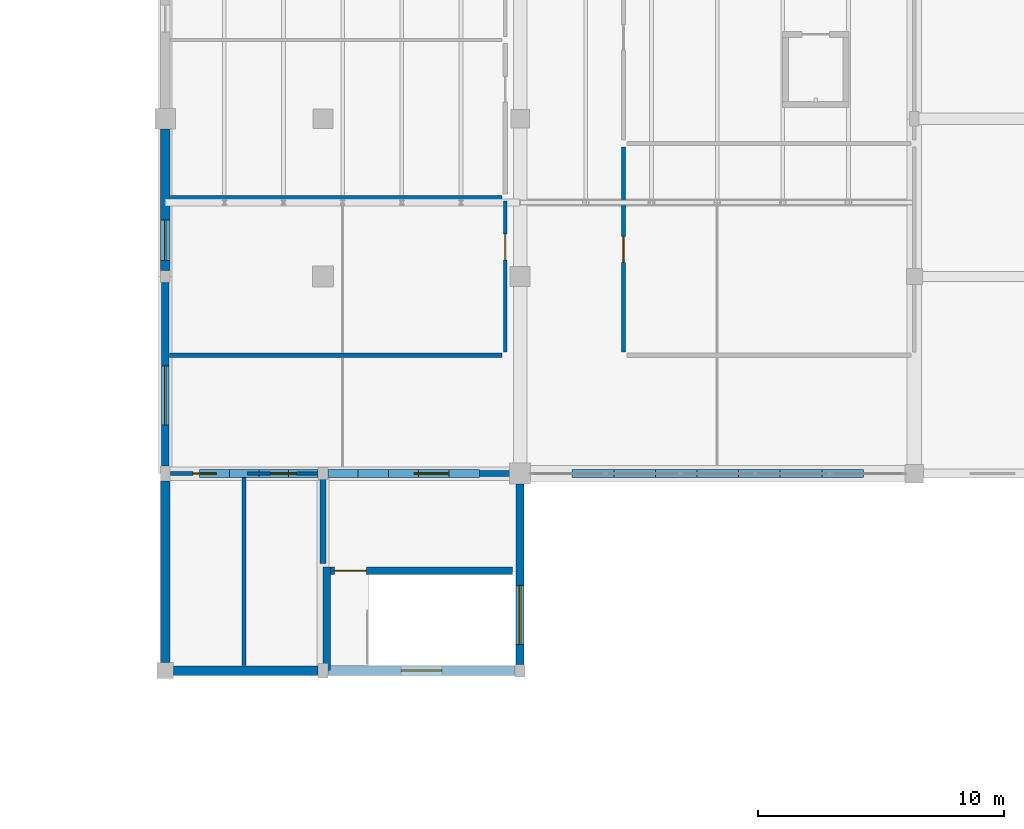
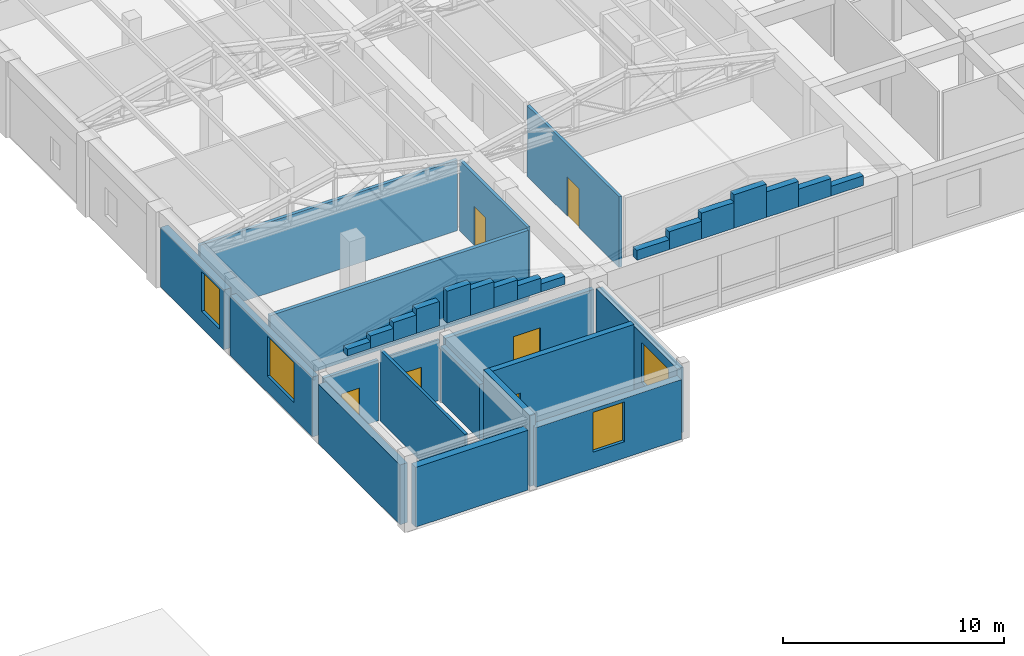
# One storey, part 26 of 35: 33 walls, 6 doors, 4 windows, 10 openings.
"""IFC4 building model written with IfcOpenShell, lengths in metres."""

import ifcopenshell
import ifcopenshell.guid

model = None  # the IFC model being written
_history = None  # IfcOwnerHistory: only IFC2X3 demands one
_inside = {}  # id of a spatial element -> (the spatial element, [elements in it])
_under = {}  # id of a project, library or spatial element -> (it, [spatial elements below it])
_declared = {}  # id of a project -> (the project, [libraries it declares])
_typed = {}  # id of a type object -> (the type object, [elements of that type])
_made_of = {}  # id of a material, layer set ... -> (it, [elements and type objects made of it])


def new_model(schema):
    """Start an empty IFC model of exactly this schema.

    Asked for "IFC4X3", IfcOpenShell would pick the latest addendum, in which some entities
    have other attributes; the version numbers below select the first issue.
    IFC2X3 requires an IfcOwnerHistory on every rooted entity: one is made here for all.
    """
    global model, _history
    if schema == "IFC4X3":
        model = ifcopenshell.file(schema_version=(4, 3, 0, 0))
    else:
        model = ifcopenshell.file(schema=schema)
    _inside.clear()
    _under.clear()
    _declared.clear()
    _typed.clear()
    _made_of.clear()
    _history = None
    if model.schema == "IFC2X3":
        org = make("IfcOrganization", Name="unknown")
        user = make(
            "IfcPersonAndOrganization",
            ThePerson=make("IfcPerson", FamilyName="unknown"),
            TheOrganization=org,
        )
        app = make(
            "IfcApplication",
            ApplicationDeveloper=org,
            Version="unknown",
            ApplicationFullName="unknown",
            ApplicationIdentifier="unknown",
        )
        _history = make(
            "IfcOwnerHistory",
            OwningUser=user,
            OwningApplication=app,
            ChangeAction="ADDED",
            CreationDate=0,
        )
    return model


def make(cls, **values):
    """One entity of the class cls with the attributes given. An attribute that is None is left unset."""
    return model.create_entity(
        cls, **{name: value for name, value in values.items() if value is not None}
    )


def rooted(cls, **values):
    """An entity with a GlobalId (a new one), such as an element, a storey or a relation."""
    return make(cls, GlobalId=ifcopenshell.guid.new(), OwnerHistory=_history, **values)


def si_unit(unit_type, name, prefix=None):
    """IfcSIUnit, for example si_unit("LENGTHUNIT", "METRE", prefix="MILLI")."""
    return make("IfcSIUnit", UnitType=unit_type, Prefix=prefix, Name=name)


def assignment(units):
    """IfcUnitAssignment: the units of a project."""
    return None if units is None else make("IfcUnitAssignment", Units=units)


def point(xyz):
    """IfcCartesianPoint."""
    return None if xyz is None else make("IfcCartesianPoint", Coordinates=xyz)


def direction(xyz):
    """IfcDirection."""
    return None if xyz is None else make("IfcDirection", DirectionRatios=xyz)


def frame(location, z_axis=None, x_axis=None):
    """IfcAxis2Placement3D, a coordinate frame: its origin and axes. An axis left out is left unset."""
    return make(
        "IfcAxis2Placement3D",
        Location=point(location),
        Axis=direction(z_axis),
        RefDirection=direction(x_axis),
    )


def frame_2d(location, x_axis=None):
    """IfcAxis2Placement2D, a coordinate frame in the plane: its origin and x axis."""
    return make(
        "IfcAxis2Placement2D", Location=point(location), RefDirection=direction(x_axis)
    )


def origin():
    """The frame at (0, 0, 0) with its axes left unset."""
    return frame((0.0, 0.0, 0.0))


def place(relative_to, where):
    """IfcLocalPlacement: puts the frame where relative to a parent placement (None: the world)."""
    return make(
        "IfcLocalPlacement", PlacementRelTo=relative_to, RelativePlacement=where
    )


def context(
    kind, dimensions, precision=None, world=None, true_north=None, identifier=None
):
    """IfcGeometricRepresentationContext, for example the 3D "Model" context."""
    return make(
        "IfcGeometricRepresentationContext",
        ContextIdentifier=identifier,
        ContextType=kind,
        CoordinateSpaceDimension=dimensions,
        Precision=precision,
        WorldCoordinateSystem=world,
        TrueNorth=true_north,
    )


def subcontext(parent, identifier, kind, view, scale=None):
    """IfcGeometricRepresentationSubContext, for example "Body" below "Model"."""
    return make(
        "IfcGeometricRepresentationSubContext",
        ContextIdentifier=identifier,
        ContextType=kind,
        ParentContext=parent,
        TargetScale=scale,
        TargetView=view,
    )


def project(units=None, contexts=None):
    """IfcProject with its units and contexts."""
    return rooted(
        "IfcProject",
        Name="project",
        RepresentationContexts=contexts,
        UnitsInContext=assignment(units),
    )


def spatial(cls, under=None, at=None, **own):
    """A site, building, storey or space (cls), placed at a placement, below another one or the project."""
    s = rooted(cls, ObjectPlacement=at, **own)
    if under is not None:
        _under.setdefault(under.id(), (under, []))[1].append(s)
    return s


def profile(cls, at=None, kind="AREA", **sizes):
    """A parametric profile (cls). Its sizes go by their IFC names, for example OverallWidth=200.0."""
    return make(cls, ProfileType=kind, Position=at, **sizes)


def rectangle(**sizes):
    """IfcRectangleProfileDef."""
    return profile("IfcRectangleProfileDef", **sizes)


def extrude(swept, where, along, depth):
    """IfcExtrudedAreaSolid: the profile swept, set in the frame where, extruded along a direction by depth."""
    return make(
        "IfcExtrudedAreaSolid",
        SweptArea=swept,
        Position=where,
        ExtrudedDirection=direction(along),
        Depth=depth,
    )


def shape(context_of_items, identifier, shape_type, items):
    """IfcShapeRepresentation: the items that make up one representation, for example the "Body"."""
    return make(
        "IfcShapeRepresentation",
        ContextOfItems=context_of_items,
        RepresentationIdentifier=identifier,
        RepresentationType=shape_type,
        Items=items,
    )


def material(Name=None, Category=None):
    """IfcMaterial."""
    return make("IfcMaterial", Name=Name, Category=Category)


def layer(
    of_material, thickness, ventilated=None, Name=None, Category=None, Priority=None
):
    """IfcMaterialLayer: one layer of a wall or slab, of a material (None: an air gap)."""
    return make(
        "IfcMaterialLayer",
        Material=of_material,
        LayerThickness=thickness,
        IsVentilated=ventilated,
        Name=Name,
        Category=Category,
        Priority=Priority,
    )


def layer_set(layers, Name=None):
    """IfcMaterialLayerSet."""
    return make("IfcMaterialLayerSet", MaterialLayers=layers, LayerSetName=Name)


def made_of(thing, what):
    """Note that an element or type object is made of a material, layer set ...; save() writes the relation."""
    if what is not None:
        _made_of.setdefault(what.id(), (what, []))[1].append(thing)
    return thing


def type_object(cls, material=None, **own):
    """A type object (cls), such as IfcWallType, which elements share."""
    return made_of(rooted(cls, **own), material)


def element(
    cls,
    number,
    at=None,
    inside=None,
    cuts=None,
    type_object=None,
    material=None,
    context=None,
    identifier="Body",
    shape_type=None,
    held_by="IfcProductDefinitionShape",
    body=None,
    shapes=None,
    **own,
):
    """One element of the class cls, such as IfcWall. Its Tag is "e" and its number.

    at: its placement. inside: the storey or other place that contains it. cuts: it is an
    opening in that element (IfcRelVoidsElement). A single representation is given by context,
    identifier, shape_type and body (its items); several are given by shapes. held_by: the class
    of the entity that holds the representations. save() writes the other relations.
    """
    e = rooted(cls, Tag="e%d" % number, ObjectPlacement=at, **own)
    if body is not None:
        shapes = [shape(context, identifier, shape_type, body)]
    if shapes is not None:
        e.Representation = make(held_by, Representations=shapes)
    if inside is not None:
        _inside.setdefault(inside.id(), (inside, []))[1].append(e)
    if cuts is not None:
        rooted(
            "IfcRelVoidsElement", RelatingBuildingElement=cuts, RelatedOpeningElement=e
        )
    if type_object is not None:
        _typed.setdefault(type_object.id(), (type_object, []))[1].append(e)
    return made_of(e, material)


def fill(opening, filler):
    """IfcRelFillsElement: the door or window that sits in an opening."""
    return rooted(
        "IfcRelFillsElement",
        RelatingOpeningElement=opening,
        RelatedBuildingElement=filler,
    )


def aggregate(whole, parts):
    """IfcRelAggregates: a whole, such as a stair, and the parts it consists of."""
    return rooted("IfcRelAggregates", RelatingObject=whole, RelatedObjects=parts)


def save(model, path):
    """Write the relations noted so far, then the file.

    IfcRelAggregates (storeys below a building ...), IfcRelContainedInSpatialStructure (elements
    in a storey), IfcRelDefinesByType, IfcRelAssociatesMaterial and IfcRelDeclares: one each for
    every whole, place, type object, material and project.
    """
    for whole, parts in _under.values():
        aggregate(whole, parts)
    for where, things in _inside.values():
        rooted(
            "IfcRelContainedInSpatialStructure",
            RelatedElements=things,
            RelatingStructure=where,
        )
    for kind, things in _typed.values():
        rooted("IfcRelDefinesByType", RelatedObjects=things, RelatingType=kind)
    for what, things in _made_of.values():
        rooted("IfcRelAssociatesMaterial", RelatedObjects=things, RelatingMaterial=what)
    for by, libraries in _declared.values():
        rooted("IfcRelDeclares", RelatingContext=by, RelatedDefinitions=libraries)
    model.write(path)


model = new_model("IFC4")

# Units and contexts
model_context = context("Model", 3, precision=1e-05, world=origin(), true_north=direction((0.0, 1.0)))
body_context = subcontext(model_context, "Body", "Model", "MODEL_VIEW")
ifc_project = project(units=[si_unit("LENGTHUNIT", "METRE"), si_unit("AREAUNIT", "SQUARE_METRE"), si_unit("VOLUMEUNIT", "CUBIC_METRE"), si_unit("PLANEANGLEUNIT", "RADIAN"), si_unit("MASSUNIT", "GRAM", prefix="KILO")], contexts=[model_context])

# Site, building, storey
site_placement = place(None, origin())
site = spatial("IfcSite", under=ifc_project, at=site_placement, CompositionType="ELEMENT")
building_placement = place(site_placement, origin())
building = spatial("IfcBuilding", under=site, at=building_placement, Name="Vellmiral Cinema and Media Centre", CompositionType="ELEMENT")
storey_placement = place(building_placement, frame((0.0, 0.0, 15.60009765625)))
storey = spatial("IfcBuildingStorey", under=building, at=storey_placement, Name="L03", CompositionType="ELEMENT", Elevation=15.60009765625)

# Wall
ifc_material_1 = material(Name="Concrete C40/50", Category="concrete")
ifc_layer_1 = layer(ifc_material_1, 0.300048828125, Name="Concrete C40/50")
ifc_layer_set_1 = layer_set([ifc_layer_1], Name="Concrete C40/50")
wall_type_1 = type_object("IfcWallType", Name="WL-CORE-300", PredefinedType="SHEAR", material=ifc_layer_set_1)
wall_1_placement = place(storey_placement, frame((54.550048828125, 43.199951171875, 0.0), z_axis=(0.0, 0.0, 1.0), x_axis=(0.0, 1.0, 0.0)))
element("IfcWall", 1, at=wall_1_placement, inside=storey, type_object=wall_type_1, Name="Stair Core Wall ST-P3 L03-W", PredefinedType="SHEAR", context=body_context, shape_type="SweptSolid", body=[
    extrude(rectangle(XDim=4.199951171875, YDim=0.300048828125, at=frame_2d((2.10009765625, 0.0))), origin(), (0.0, 0.0, 1.0), 3.89990234375),
])

# Wall, opening, door
wall_2_placement = place(storey_placement, frame((54.699951171875, 47.25, 0.0), z_axis=(0.0, 0.0, 1.0), x_axis=(1.0, 0.0, 0.0)))
wall_2 = element("IfcWall", 2, at=wall_2_placement, inside=storey, type_object=wall_type_1, Name="Stair Core Wall ST-P3 L03-N", PredefinedType="SHEAR", context=body_context, shape_type="SweptSolid", body=[
    extrude(rectangle(XDim=7.400146484375, YDim=0.300048828125, at=frame_2d((3.7001953125, 0.0))), origin(), (0.0, 0.0, 1.0), 3.89990234375),
])
opening_1_placement = place(wall_2_placement, frame((0.159912109375, 0.0, 0.0)))
opening_1 = element("IfcOpeningElement", 3, at=opening_1_placement, cuts=wall_2, Name="Opening D-FD30A", PredefinedType="OPENING", context=body_context, shape_type="SweptSolid", body=[
    extrude(rectangle(XDim=1.300048828125, YDim=2.179931640625, at=frame_2d((0.64990234375, 1.08984375))), frame((0.0, 0.162109375, 0.0), z_axis=(0.0, -1.0, 0.0), x_axis=(1.0, 0.0, 0.0)), (0.0, 0.0, 1.0), 0.323974609375),
])
ifc_material_2 = material(Name="Steel Stair Fire Door", Category="steel")
door_type_1 = type_object("IfcDoorType", Name="DR-FD30-1300x2180", OperationType="NOTDEFINED", PredefinedType="DOOR", material=ifc_material_2)
door_1_placement = place(opening_1_placement, frame((1.300048828125, 0.0, 0.0), z_axis=(0.0, 0.0, 1.0), x_axis=(-1.0, 0.0, 0.0)))
door_1 = element("IfcDoor", 4, at=door_1_placement, inside=storey, type_object=door_type_1, Name="Protected Stair Door ST-P3 L03", OperationType="SINGLE_SWING_RIGHT", OverallHeight=2.179931640625, OverallWidth=1.300048828125, PredefinedType="DOOR", context=body_context, shape_type="SweptSolid", body=[
    extrude(rectangle(XDim=1.300048828125, YDim=2.179931640625, at=frame_2d((0.64990234375, 1.08984375))), frame((0.0, 0.02490234375, 0.0), z_axis=(0.0, -1.0, 0.0), x_axis=(1.0, 0.0, 0.0)), (0.0, 0.0, 1.0), 0.050048828125),
])
fill(opening_1, door_1)

# Wall, opening, window
ifc_material_3 = material(Name="Polychrome Glazed Ceramic Cladding", Category="masonry")
ifc_layer_2 = layer(ifc_material_3, 0.320068359375, Name="Polychrome Glazed Ceramic Cladding")
ifc_layer_set_2 = layer_set([ifc_layer_2], Name="Polychrome Glazed Ceramic Cladding")
wall_type_2 = type_object("IfcWallType", Name="WL-EXT-BRICK-320", PredefinedType="SOLIDWALL", material=ifc_layer_set_2)
wall_3_placement = place(storey_placement, frame((62.39990234375, 43.449951171875, 0.0), z_axis=(0.0, 0.0, 1.0), x_axis=(0.0, 1.0, 0.0)))
wall_3 = element("IfcWall", 5, at=wall_3_placement, inside=storey, type_object=wall_type_2, Name="Exterior Facade Wall L03-003", PredefinedType="SOLIDWALL", context=body_context, shape_type="SweptSolid", body=[
    extrude(rectangle(XDim=7.324951171875, YDim=0.320068359375, at=frame_2d((3.66259765625, 0.0))), origin(), (0.0, 0.0, 1.0), 3.594970703125),
])
opening_2_placement = place(wall_3_placement, frame((0.8125, 0.0, 0.89990234375)))
opening_2 = element("IfcOpeningElement", 6, at=opening_2_placement, cuts=wall_3, Name="Opening WN-01", PredefinedType="OPENING", context=body_context, shape_type="SweptSolid", body=[
    extrude(rectangle(XDim=2.39990234375, YDim=2.199951171875, at=frame_2d((1.199951171875, 1.10009765625))), frame((0.0, 0.171875, 0.0), z_axis=(0.0, -1.0, 0.0), x_axis=(1.0, 0.0, 0.0)), (0.0, 0.0, 1.0), 0.343994140625),
])
ifc_material_4 = material(Name="Thermally Broken Aluminium Triple Glazing", Category="aluminium")
window_type_1 = type_object("IfcWindowType", Name="WN-2400x2200", PartitioningType="DOUBLE_PANEL_VERTICAL", PredefinedType="WINDOW", material=ifc_material_4)
window_1_placement = place(opening_2_placement, origin())
window_1 = element("IfcWindow", 7, at=window_1_placement, inside=storey, type_object=window_type_1, Name="Window L03-003", OverallHeight=2.199951171875, OverallWidth=2.39990234375, PartitioningType="DOUBLE_PANEL_VERTICAL", PredefinedType="WINDOW", context=body_context, shape_type="SweptSolid", body=[
    extrude(rectangle(XDim=2.39990234375, YDim=2.199951171875, at=frame_2d((1.199951171875, 1.10009765625))), frame((0.0, 0.030029296875, 0.0), z_axis=(0.0, -1.0, 0.0), x_axis=(1.0, 0.0, 0.0)), (0.0, 0.0, 1.0), 0.06005859375),
])
fill(opening_2, window_1)

wall_4_placement = place(storey_placement, frame((48.0, 58.949951171875, 0.0), z_axis=(0.0, 0.0, 1.0), x_axis=(0.0, -1.0, 0.0)))
wall_4 = element("IfcWall", 8, at=wall_4_placement, inside=storey, type_object=wall_type_2, Name="Exterior Facade Wall L03-048", PredefinedType="SOLIDWALL", context=body_context, shape_type="SweptSolid", body=[
    extrude(rectangle(XDim=7.449951171875, YDim=0.320068359375, at=frame_2d((3.72509765625, 0.0))), origin(), (0.0, 0.0, 1.0), 3.2998046875),
])
opening_3_placement = place(wall_4_placement, frame((3.375, 0.0, 0.89990234375)))
opening_3 = element("IfcOpeningElement", 9, at=opening_3_placement, cuts=wall_4, Name="Opening WN-01", PredefinedType="OPENING", context=body_context, shape_type="SweptSolid", body=[
    extrude(rectangle(XDim=2.39990234375, YDim=2.199951171875, at=frame_2d((1.199951171875, 1.10009765625))), frame((0.0, 0.171875, 0.0), z_axis=(0.0, -1.0, 0.0), x_axis=(1.0, 0.0, 0.0)), (0.0, 0.0, 1.0), 0.343994140625),
])
window_2_placement = place(opening_3_placement, origin())
window_2 = element("IfcWindow", 10, at=window_2_placement, inside=storey, type_object=window_type_1, Name="Window L03-048", OverallHeight=2.199951171875, OverallWidth=2.39990234375, PartitioningType="DOUBLE_PANEL_VERTICAL", PredefinedType="WINDOW", context=body_context, shape_type="SweptSolid", body=[
    extrude(rectangle(XDim=2.39990234375, YDim=2.199951171875, at=frame_2d((1.199951171875, 1.10009765625))), frame((0.0, 0.030029296875, 0.0), z_axis=(0.0, -1.0, 0.0), x_axis=(1.0, 0.0, 0.0)), (0.0, 0.0, 1.0), 0.06005859375),
])
fill(opening_3, window_2)

# Walls
ifc_material_5 = material(Name="Vosges Red Sandstone Masonry", Category="masonry")
ifc_layer_3 = layer(ifc_material_5, 0.340087890625, Name="Vosges Red Sandstone Masonry")
ifc_layer_set_3 = layer_set([ifc_layer_3], Name="Vosges Red Sandstone Masonry")
wall_type_3 = type_object("IfcWallType", Name="WL-EXT-SAND-340", PredefinedType="SOLIDWALL", material=ifc_layer_set_3)
wall_5_placement = place(storey_placement, frame((49.39990234375, 51.199951171875, 4.199951171875), z_axis=(0.0, 0.0, 1.0), x_axis=(1.0, 0.0, 0.0)))
element("IfcWall", 11, at=wall_5_placement, inside=storey, type_object=wall_type_3, Name="Central Media Library West Barrel Vault Gable End Wall S-1", PredefinedType="SOLIDWALL", context=body_context, shape_type="SweptSolid", body=[
    extrude(rectangle(XDim=1.2001953125, YDim=0.340087890625, at=frame_2d((0.60009765625, 0.0))), origin(), (0.0, 0.0, 1.0), 0.375),
])
wall_6_placement = place(storey_placement, frame((50.60009765625, 51.199951171875, 4.199951171875), z_axis=(0.0, 0.0, 1.0), x_axis=(1.0, 0.0, 0.0)))
element("IfcWall", 12, at=wall_6_placement, inside=storey, type_object=wall_type_3, Name="Central Media Library West Barrel Vault Gable End Wall S-2", PredefinedType="SOLIDWALL", context=body_context, shape_type="SweptSolid", body=[
    extrude(rectangle(XDim=1.199951171875, YDim=0.340087890625, at=frame_2d((0.60009765625, 0.0))), origin(), (0.0, 0.0, 1.0), 0.696533203125),
])
wall_7_placement = place(storey_placement, frame((51.800048828125, 51.199951171875, 4.199951171875), z_axis=(0.0, 0.0, 1.0), x_axis=(1.0, 0.0, 0.0)))
element("IfcWall", 13, at=wall_7_placement, inside=storey, type_object=wall_type_3, Name="Central Media Library West Barrel Vault Gable End Wall S-3", PredefinedType="SOLIDWALL", context=body_context, shape_type="SweptSolid", body=[
    extrude(rectangle(XDim=1.199951171875, YDim=0.340087890625, at=frame_2d((0.60009765625, 0.0))), origin(), (0.0, 0.0, 1.0), 1.01806640625),
])
wall_8_placement = place(storey_placement, frame((53.0, 51.199951171875, 4.199951171875), z_axis=(0.0, 0.0, 1.0), x_axis=(1.0, 0.0, 0.0)))
element("IfcWall", 14, at=wall_8_placement, inside=storey, type_object=wall_type_3, Name="Central Media Library West Barrel Vault Gable End Wall S-4", PredefinedType="SOLIDWALL", context=body_context, shape_type="SweptSolid", body=[
    extrude(rectangle(XDim=1.199951171875, YDim=0.340087890625, at=frame_2d((0.60009765625, 0.0))), origin(), (0.0, 0.0, 1.0), 1.339599609375),
])
wall_9_placement = place(storey_placement, frame((54.60009765625, 51.199951171875, 4.199951171875), z_axis=(0.0, 0.0, 1.0), x_axis=(1.0, 0.0, 0.0)))
element("IfcWall", 15, at=wall_9_placement, inside=storey, type_object=wall_type_3, Name="Central Media Library West Barrel Vault Gable End Wall S-5", PredefinedType="SOLIDWALL", context=body_context, shape_type="SweptSolid", body=[
    extrude(rectangle(XDim=1.22900390625, YDim=0.340087890625, at=frame_2d((0.614501953125, 0.0))), origin(), (0.0, 0.0, 1.0), 1.760498046875),
])
wall_10_placement = place(storey_placement, frame((55.8291015625, 51.199951171875, 4.199951171875), z_axis=(0.0, 0.0, 1.0), x_axis=(1.0, 0.0, 0.0)))
element("IfcWall", 16, at=wall_10_placement, inside=storey, type_object=wall_type_3, Name="Central Media Library West Barrel Vault Gable End Wall S-6", PredefinedType="SOLIDWALL", context=body_context, shape_type="SweptSolid", body=[
    extrude(rectangle(XDim=1.229248046875, YDim=0.340087890625, at=frame_2d((0.61474609375, 0.0))), origin(), (0.0, 0.0, 1.0), 1.43115234375),
])
wall_11_placement = place(storey_placement, frame((57.058349609375, 51.199951171875, 4.199951171875), z_axis=(0.0, 0.0, 1.0), x_axis=(1.0, 0.0, 0.0)))
element("IfcWall", 17, at=wall_11_placement, inside=storey, type_object=wall_type_3, Name="Central Media Library West Barrel Vault Gable End Wall S-7", PredefinedType="SOLIDWALL", context=body_context, shape_type="SweptSolid", body=[
    extrude(rectangle(XDim=1.229248046875, YDim=0.340087890625, at=frame_2d((0.61474609375, 0.0))), origin(), (0.0, 0.0, 1.0), 1.101806640625),
])
wall_12_placement = place(storey_placement, frame((58.28759765625, 51.199951171875, 4.199951171875), z_axis=(0.0, 0.0, 1.0), x_axis=(1.0, 0.0, 0.0)))
element("IfcWall", 18, at=wall_12_placement, inside=storey, type_object=wall_type_3, Name="Central Media Library West Barrel Vault Gable End Wall S-8", PredefinedType="SOLIDWALL", context=body_context, shape_type="SweptSolid", body=[
    extrude(rectangle(XDim=1.22900390625, YDim=0.340087890625, at=frame_2d((0.614501953125, 0.0))), origin(), (0.0, 0.0, 1.0), 0.7724609375),
])
wall_13_placement = place(storey_placement, frame((59.5166015625, 51.199951171875, 4.199951171875), z_axis=(0.0, 0.0, 1.0), x_axis=(1.0, 0.0, 0.0)))
element("IfcWall", 19, at=wall_13_placement, inside=storey, type_object=wall_type_3, Name="Central Media Library West Barrel Vault Gable End Wall S-9", PredefinedType="SOLIDWALL", context=body_context, shape_type="SweptSolid", body=[
    extrude(rectangle(XDim=1.229248046875, YDim=0.340087890625, at=frame_2d((0.61474609375, 0.0))), origin(), (0.0, 0.0, 1.0), 0.443115234375),
])
wall_14_placement = place(storey_placement, frame((64.513916015625, 51.199951171875, 4.199951171875), z_axis=(0.0, 0.0, 1.0), x_axis=(1.0, 0.0, 0.0)))
element("IfcWall", 20, at=wall_14_placement, inside=storey, type_object=wall_type_3, Name="Central Editing Hall East Barrel Vault Gable End Wall S-1", PredefinedType="SOLIDWALL", context=body_context, shape_type="SweptSolid", body=[
    extrude(rectangle(XDim=1.68896484375, YDim=0.340087890625, at=frame_2d((0.844482421875, 0.0))), origin(), (0.0, 0.0, 1.0), 0.546630859375),
])
wall_15_placement = place(storey_placement, frame((66.202880859375, 51.199951171875, 4.199951171875), z_axis=(0.0, 0.0, 1.0), x_axis=(1.0, 0.0, 0.0)))
element("IfcWall", 21, at=wall_15_placement, inside=storey, type_object=wall_type_3, Name="Central Editing Hall East Barrel Vault Gable End Wall S-2", PredefinedType="SOLIDWALL", context=body_context, shape_type="SweptSolid", body=[
    extrude(rectangle(XDim=1.688720703125, YDim=0.340087890625, at=frame_2d((0.84423828125, 0.0))), origin(), (0.0, 0.0, 1.0), 0.9833984375),
])
wall_16_placement = place(storey_placement, frame((67.8916015625, 51.199951171875, 4.199951171875), z_axis=(0.0, 0.0, 1.0), x_axis=(1.0, 0.0, 0.0)))
element("IfcWall", 22, at=wall_16_placement, inside=storey, type_object=wall_type_3, Name="Central Editing Hall East Barrel Vault Gable End Wall S-3", PredefinedType="SOLIDWALL", context=body_context, shape_type="SweptSolid", body=[
    extrude(rectangle(XDim=1.68896484375, YDim=0.340087890625, at=frame_2d((0.844482421875, 0.0))), origin(), (0.0, 0.0, 1.0), 1.420166015625),
])
wall_17_placement = place(storey_placement, frame((69.58056640625, 51.199951171875, 4.199951171875), z_axis=(0.0, 0.0, 1.0), x_axis=(1.0, 0.0, 0.0)))
element("IfcWall", 23, at=wall_17_placement, inside=storey, type_object=wall_type_3, Name="Central Editing Hall East Barrel Vault Gable End Wall S-4", PredefinedType="SOLIDWALL", context=body_context, shape_type="SweptSolid", body=[
    extrude(rectangle(XDim=1.688720703125, YDim=0.340087890625, at=frame_2d((0.84423828125, 0.0))), origin(), (0.0, 0.0, 1.0), 1.843994140625),
])
wall_18_placement = place(storey_placement, frame((71.269287109375, 51.199951171875, 4.199951171875), z_axis=(0.0, 0.0, 1.0), x_axis=(1.0, 0.0, 0.0)))
element("IfcWall", 24, at=wall_18_placement, inside=storey, type_object=wall_type_3, Name="Central Editing Hall East Barrel Vault Gable End Wall S-5", PredefinedType="SOLIDWALL", context=body_context, shape_type="SweptSolid", body=[
    extrude(rectangle(XDim=1.68896484375, YDim=0.340087890625, at=frame_2d((0.844482421875, 0.0))), origin(), (0.0, 0.0, 1.0), 1.4072265625),
])
wall_19_placement = place(storey_placement, frame((72.958251953125, 51.199951171875, 4.199951171875), z_axis=(0.0, 0.0, 1.0), x_axis=(1.0, 0.0, 0.0)))
element("IfcWall", 25, at=wall_19_placement, inside=storey, type_object=wall_type_3, Name="Central Editing Hall East Barrel Vault Gable End Wall S-6", PredefinedType="SOLIDWALL", context=body_context, shape_type="SweptSolid", body=[
    extrude(rectangle(XDim=1.68896484375, YDim=0.340087890625, at=frame_2d((0.844482421875, 0.0))), origin(), (0.0, 0.0, 1.0), 0.970458984375),
])
wall_20_placement = place(storey_placement, frame((74.647216796875, 51.199951171875, 4.199951171875), z_axis=(0.0, 0.0, 1.0), x_axis=(1.0, 0.0, 0.0)))
element("IfcWall", 26, at=wall_20_placement, inside=storey, type_object=wall_type_3, Name="Central Editing Hall East Barrel Vault Gable End Wall S-7", PredefinedType="SOLIDWALL", context=body_context, shape_type="SweptSolid", body=[
    extrude(rectangle(XDim=1.68896484375, YDim=0.340087890625, at=frame_2d((0.844482421875, 0.0))), origin(), (0.0, 0.0, 1.0), 0.53369140625),
])
ifc_material_6 = material(Name="Vosges Red Sandstone Masonry", Category="masonry")
ifc_layer_4 = layer(ifc_material_6, 0.3798828125, Name="Vosges Red Sandstone Masonry")
ifc_layer_set_4 = layer_set([ifc_layer_4], Name="Vosges Red Sandstone Masonry")
wall_type_4 = type_object("IfcWallType", Name="WL-EXT-SAND-380", PredefinedType="SOLIDWALL", material=ifc_layer_set_4)
wall_21_placement = place(storey_placement, frame((48.324951171875, 43.199951171875, 0.0), z_axis=(0.0, 0.0, 1.0), x_axis=(1.0, 0.0, 0.0)))
element("IfcWall", 27, at=wall_21_placement, inside=storey, type_object=wall_type_4, Name="Exterior Facade Wall L03-001", PredefinedType="SOLIDWALL", context=body_context, shape_type="SweptSolid", body=[
    extrude(rectangle(XDim=5.875, YDim=0.3798828125, at=frame_2d((2.9375, 0.0))), origin(), (0.0, 0.0, 1.0), 3.2998046875),
])

# Wall, opening, window
wall_22_placement = place(storey_placement, frame((54.60009765625, 43.199951171875, 0.0), z_axis=(0.0, 0.0, 1.0), x_axis=(1.0, 0.0, 0.0)))
wall_22 = element("IfcWall", 28, at=wall_22_placement, inside=storey, type_object=wall_type_4, Name="Exterior Facade Wall L03-002", PredefinedType="SOLIDWALL", context=body_context, shape_type="SweptSolid", body=[
    extrude(rectangle(XDim=7.599853515625, YDim=0.3798828125, at=frame_2d((3.7998046875, 0.0))), origin(), (0.0, 0.0, 1.0), 3.294921875),
])
opening_4_placement = place(wall_22_placement, frame((2.97509765625, 0.0, 0.89990234375)))
opening_4 = element("IfcOpeningElement", 29, at=opening_4_placement, cuts=wall_22, Name="Opening WN-15", PredefinedType="OPENING", context=body_context, shape_type="SweptSolid", body=[
    extrude(rectangle(XDim=1.64990234375, YDim=2.199951171875, at=frame_2d((0.824951171875, 1.10009765625))), frame((0.0, 0.201904296875, 0.0), z_axis=(0.0, -1.0, 0.0), x_axis=(1.0, 0.0, 0.0)), (0.0, 0.0, 1.0), 0.40380859375),
])
ifc_material_7 = material(Name="Thermally Broken Aluminium Triple Glazing", Category="aluminium")
window_type_2 = type_object("IfcWindowType", Name="WN-1650x2200", PartitioningType="TRIPLE_PANEL_HORIZONTAL", PredefinedType="WINDOW", material=ifc_material_7)
window_3_placement = place(opening_4_placement, origin())
window_3 = element("IfcWindow", 30, at=window_3_placement, inside=storey, type_object=window_type_2, Name="Window L03-002", OverallHeight=2.199951171875, OverallWidth=1.64990234375, PartitioningType="TRIPLE_PANEL_HORIZONTAL", PredefinedType="WINDOW", context=body_context, shape_type="SweptSolid", body=[
    extrude(rectangle(XDim=1.64990234375, YDim=2.199951171875, at=frame_2d((0.824951171875, 1.10009765625))), frame((0.0, 0.030029296875, 0.0), z_axis=(0.0, -1.0, 0.0), x_axis=(1.0, 0.0, 0.0)), (0.0, 0.0, 1.0), 0.06005859375),
])
fill(opening_4, window_3)

wall_23_placement = place(storey_placement, frame((48.0, 65.175048828125, 0.0), z_axis=(0.0, 0.0, 1.0), x_axis=(0.0, -1.0, 0.0)))
wall_23 = element("IfcWall", 31, at=wall_23_placement, inside=storey, type_object=wall_type_4, Name="Exterior Facade Wall L03-047", PredefinedType="SOLIDWALL", context=body_context, shape_type="SweptSolid", body=[
    extrude(rectangle(XDim=5.72509765625, YDim=0.3798828125, at=frame_2d((2.862548828125, 0.0))), origin(), (0.0, 0.0, 1.0), 3.2998046875),
])
opening_5_placement = place(wall_23_placement, frame((3.6875, 0.0, 0.89990234375)))
opening_5 = element("IfcOpeningElement", 32, at=opening_5_placement, cuts=wall_23, Name="Opening WN-15", PredefinedType="OPENING", context=body_context, shape_type="SweptSolid", body=[
    extrude(rectangle(XDim=1.64990234375, YDim=2.199951171875, at=frame_2d((0.824951171875, 1.10009765625))), frame((0.0, 0.201904296875, 0.0), z_axis=(0.0, -1.0, 0.0), x_axis=(1.0, 0.0, 0.0)), (0.0, 0.0, 1.0), 0.40380859375),
])
window_4_placement = place(opening_5_placement, origin())
window_4 = element("IfcWindow", 33, at=window_4_placement, inside=storey, type_object=window_type_2, Name="Window L03-047", OverallHeight=2.199951171875, OverallWidth=1.64990234375, PartitioningType="TRIPLE_PANEL_HORIZONTAL", PredefinedType="WINDOW", context=body_context, shape_type="SweptSolid", body=[
    extrude(rectangle(XDim=1.64990234375, YDim=2.199951171875, at=frame_2d((0.824951171875, 1.10009765625))), frame((0.0, 0.030029296875, 0.0), z_axis=(0.0, -1.0, 0.0), x_axis=(1.0, 0.0, 0.0)), (0.0, 0.0, 1.0), 0.06005859375),
])
fill(opening_5, window_4)

# Wall
wall_24_placement = place(storey_placement, frame((48.0, 50.89990234375, 0.0), z_axis=(0.0, 0.0, 1.0), x_axis=(0.0, -1.0, 0.0)))
element("IfcWall", 34, at=wall_24_placement, inside=storey, type_object=wall_type_4, Name="Exterior Facade Wall L03-049", PredefinedType="SOLIDWALL", context=body_context, shape_type="SweptSolid", body=[
    extrude(rectangle(XDim=7.375, YDim=0.3798828125, at=frame_2d((3.6875, 0.0))), origin(), (0.0, 0.0, 1.0), 3.2998046875),
])

# Wall, opening, door
ifc_material_8 = material(Name="Concrete C40/50", Category="concrete")
ifc_layer_5 = layer(ifc_material_8, 0.22998046875, Name="Concrete C40/50")
ifc_layer_set_5 = layer_set([ifc_layer_5], Name="Concrete C40/50")
wall_type_5 = type_object("IfcWallType", Name="WL-FFL-230", PredefinedType="SOLIDWALL", material=ifc_layer_set_5)
wall_25_placement = place(storey_placement, frame((54.5400390625, 51.199951171875, 0.0), z_axis=(0.0, 0.0, 1.0), x_axis=(1.0, 0.0, 0.0)))
wall_25 = element("IfcWall", 35, at=wall_25_placement, inside=storey, type_object=wall_type_5, Name="Firefighting Stair Lobby ST-P3 Wall N", PredefinedType="SOLIDWALL", context=body_context, shape_type="SweptSolid", body=[
    extrude(rectangle(XDim=7.7548828125, YDim=0.22998046875, at=frame_2d((3.87744140625, 0.0))), origin(), (0.0, 0.0, 1.0), 3.349853515625),
])
opening_6_placement = place(wall_25_placement, frame((3.56005859375, 0.0, 0.0)))
opening_6 = element("IfcOpeningElement", 36, at=opening_6_placement, cuts=wall_25, Name="Opening D-FD60B", PredefinedType="OPENING", context=body_context, shape_type="SweptSolid", body=[
    extrude(rectangle(XDim=1.39990234375, YDim=2.199951171875, at=frame_2d((0.699951171875, 1.10009765625))), frame((0.0, 0.126953125, 0.0), z_axis=(0.0, -1.0, 0.0), x_axis=(1.0, 0.0, 0.0)), (0.0, 0.0, 1.0), 0.25390625),
])
ifc_material_9 = material(Name="Steel Fire Door", Category="steel")
door_type_2 = type_object("IfcDoorType", Name="DR-FD60-1400x2200", OperationType="NOTDEFINED", PredefinedType="DOOR", material=ifc_material_9)
door_2_placement = place(opening_6_placement, frame((1.39990234375, 0.0, 0.0), z_axis=(0.0, 0.0, 1.0), x_axis=(-1.0, 0.0, 0.0)))
door_2 = element("IfcDoor", 37, at=door_2_placement, inside=storey, type_object=door_type_2, Name="Firefighting Stair Lobby ST-P3 Door", OperationType="SINGLE_SWING_LEFT", OverallHeight=2.199951171875, OverallWidth=1.39990234375, PredefinedType="DOOR", context=body_context, shape_type="SweptSolid", body=[
    extrude(rectangle(XDim=1.39990234375, YDim=2.199951171875, at=frame_2d((0.699951171875, 1.10009765625))), frame((0.0, 0.02490234375, 0.0), z_axis=(0.0, -1.0, 0.0), x_axis=(1.0, 0.0, 0.0)), (0.0, 0.0, 1.0), 0.050048828125),
])
fill(opening_6, door_2)

# Wall
wall_26_placement = place(storey_placement, frame((54.39990234375, 47.5400390625, 0.0), z_axis=(0.0, 0.0, 1.0), x_axis=(0.0, 1.0, 0.0)))
element("IfcWall", 38, at=wall_26_placement, inside=storey, type_object=wall_type_5, Name="Firefighting Stair Lobby ST-P3 Wall W", PredefinedType="SOLIDWALL", context=body_context, shape_type="SweptSolid", body=[
    extrude(rectangle(XDim=3.52001953125, YDim=0.22998046875, at=frame_2d((1.760009765625, 0.0))), origin(), (0.0, 0.0, 1.0), 3.044921875),
])

# Wall, opening, door
ifc_material_10 = material(Name="Gypsum Plasterboard")
ifc_layer_6 = layer(ifc_material_10, 0.02490234375, Name="Gypsum Plasterboard", Category="gypsum")
ifc_material_11 = material(Name="Mineral Wool Acoustic Insulation", Category="insulation")
ifc_layer_7 = layer(ifc_material_11, 0.06005859375, Name="Mineral Wool Acoustic Insulation", Category="insulation")
ifc_layer_8 = layer(ifc_material_10, 0.02490234375, Name="Gypsum Plasterboard", Category="gypsum")
ifc_layer_set_6 = layer_set([ifc_layer_6, ifc_layer_7, ifc_layer_8], Name="Gypsum Plasterboard")
wall_type_6 = type_object("IfcWallType", Name="WL-PART-110", PredefinedType="PARTITIONING", material=ifc_layer_set_6)
wall_27_placement = place(storey_placement, frame((51.340087890625, 51.199951171875, 0.0), z_axis=(0.0, 0.0, 1.0), x_axis=(1.0, 0.0, 0.0)))
wall_27 = element("IfcWall", 39, at=wall_27_placement, inside=storey, type_object=wall_type_6, Name="L03 Accessible WC Wall N", PredefinedType="PARTITIONING", context=body_context, shape_type="SweptSolid", body=[
    extrude(rectangle(XDim=2.919921875, YDim=0.110107421875, at=frame_2d((1.4599609375, 0.0))), origin(), (0.0, 0.0, 1.0), 3.349853515625),
])
opening_7_placement = place(wall_27_placement, frame((0.93505859375, 0.0, 0.0)))
opening_7 = element("IfcOpeningElement", 40, at=opening_7_placement, cuts=wall_27, Name="Opening D-I10", PredefinedType="OPENING", context=body_context, shape_type="SweptSolid", body=[
    extrude(rectangle(XDim=1.050048828125, YDim=2.14990234375, at=frame_2d((0.52490234375, 1.074951171875))), frame((0.0, 0.06689453125, 0.0), z_axis=(0.0, -1.0, 0.0), x_axis=(1.0, 0.0, 0.0)), (0.0, 0.0, 1.0), 0.134033203125),
])
ifc_material_12 = material(Name="Barrier-Free Timber Door", Category="wood")
door_type_3 = type_object("IfcDoorType", Name="DR-ACC-1050x2150", OperationType="NOTDEFINED", PredefinedType="DOOR", material=ifc_material_12)
door_3_placement = place(opening_7_placement, frame((1.050048828125, 0.0, 0.0), z_axis=(0.0, 0.0, 1.0), x_axis=(-1.0, 0.0, 0.0)))
door_3 = element("IfcDoor", 41, at=door_3_placement, inside=storey, type_object=door_type_3, Name="L03 Accessible WC Door", OperationType="SINGLE_SWING_RIGHT", OverallHeight=2.14990234375, OverallWidth=1.050048828125, PredefinedType="DOOR", context=body_context, shape_type="SweptSolid", body=[
    extrude(rectangle(XDim=1.050048828125, YDim=2.14990234375, at=frame_2d((0.52490234375, 1.074951171875))), frame((0.0, 0.02490234375, 0.0), z_axis=(0.0, -1.0, 0.0), x_axis=(1.0, 0.0, 0.0)), (0.0, 0.0, 1.0), 0.050048828125),
])
fill(opening_7, door_3)

ifc_material_13 = material(Name="Gypsum Plasterboard")
ifc_layer_9 = layer(ifc_material_13, 0.02490234375, Name="Gypsum Plasterboard", Category="gypsum")
ifc_material_14 = material(Name="Mineral Wool Acoustic Insulation", Category="insulation")
ifc_layer_10 = layer(ifc_material_14, 0.10009765625, Name="Mineral Wool Acoustic Insulation", Category="insulation")
ifc_layer_11 = layer(ifc_material_13, 0.02490234375, Name="Gypsum Plasterboard", Category="gypsum")
ifc_layer_set_7 = layer_set([ifc_layer_9, ifc_layer_10, ifc_layer_11], Name="Gypsum Plasterboard")
wall_type_7 = type_object("IfcWallType", Name="WL-PART-150", PredefinedType="PARTITIONING", material=ifc_layer_set_7)
wall_28_placement = place(storey_placement, frame((61.800048828125, 56.139892578125, 0.0), z_axis=(0.0, 0.0, 1.0), x_axis=(0.0, 1.0, 0.0)))
wall_28 = element("IfcWall", 42, at=wall_28_placement, inside=storey, type_object=wall_type_7, Name="Editing Suite 01 Wall E", PredefinedType="PARTITIONING", context=body_context, shape_type="SweptSolid", body=[
    extrude(rectangle(XDim=6.1201171875, YDim=0.14990234375, at=frame_2d((3.06005859375, 0.0))), origin(), (0.0, 0.0, 1.0), 3.89990234375),
])
opening_8_placement = place(wall_28_placement, frame((3.735107421875, 0.0, 0.0)))
opening_8 = element("IfcOpeningElement", 43, at=opening_8_placement, cuts=wall_28, Name="Opening D-AC6", PredefinedType="OPENING", context=body_context, shape_type="SweptSolid", body=[
    extrude(rectangle(XDim=1.050048828125, YDim=2.14990234375, at=frame_2d((0.52490234375, 1.074951171875))), frame((0.0, 0.0869140625, 0.0), z_axis=(0.0, -1.0, 0.0), x_axis=(1.0, 0.0, 0.0)), (0.0, 0.0, 1.0), 0.173828125),
])
ifc_material_15 = material(Name="Acoustic Editing Suite Door", Category="wood")
door_type_4 = type_object("IfcDoorType", Name="DR-AC-1050x2150", OperationType="NOTDEFINED", PredefinedType="DOOR", material=ifc_material_15)
door_4_placement = place(opening_8_placement, origin())
door_4 = element("IfcDoor", 44, at=door_4_placement, inside=storey, type_object=door_type_4, Name="Editing Suite 01 Door", OperationType="SINGLE_SWING_RIGHT", OverallHeight=2.14990234375, OverallWidth=1.050048828125, PredefinedType="DOOR", context=body_context, shape_type="SweptSolid", body=[
    extrude(rectangle(XDim=1.050048828125, YDim=2.14990234375, at=frame_2d((0.52490234375, 1.074951171875))), frame((0.0, 0.02490234375, 0.0), z_axis=(0.0, -1.0, 0.0), x_axis=(1.0, 0.0, 0.0)), (0.0, 0.0, 1.0), 0.050048828125),
])
fill(opening_8, door_4)

wall_29_placement = place(storey_placement, frame((66.60009765625, 56.139892578125, 0.0), z_axis=(0.0, 0.0, 1.0), x_axis=(0.0, 1.0, 0.0)))
wall_29 = element("IfcWall", 45, at=wall_29_placement, inside=storey, type_object=wall_type_7, Name="Editing Suite 06 Wall W", PredefinedType="PARTITIONING", context=body_context, shape_type="SweptSolid", body=[
    extrude(rectangle(XDim=8.320068359375, YDim=0.14990234375, at=frame_2d((4.16015625, 0.0))), origin(), (0.0, 0.0, 1.0), 3.89990234375),
])
opening_9_placement = place(wall_29_placement, frame((3.635009765625, 0.0, 0.0)))
opening_9 = element("IfcOpeningElement", 46, at=opening_9_placement, cuts=wall_29, Name="Opening D-AC6", PredefinedType="OPENING", context=body_context, shape_type="SweptSolid", body=[
    extrude(rectangle(XDim=1.050048828125, YDim=2.14990234375, at=frame_2d((0.52490234375, 1.074951171875))), frame((0.0, 0.0869140625, 0.0), z_axis=(0.0, -1.0, 0.0), x_axis=(1.0, 0.0, 0.0)), (0.0, 0.0, 1.0), 0.173828125),
])
door_5_placement = place(opening_9_placement, frame((1.050048828125, 0.0, 0.0), z_axis=(0.0, 0.0, 1.0), x_axis=(-1.0, 0.0, 0.0)))
door_5 = element("IfcDoor", 47, at=door_5_placement, inside=storey, type_object=door_type_4, Name="Editing Suite 06 Door", OperationType="SINGLE_SWING_RIGHT", OverallHeight=2.14990234375, OverallWidth=1.050048828125, PredefinedType="DOOR", context=body_context, shape_type="SweptSolid", body=[
    extrude(rectangle(XDim=1.050048828125, YDim=2.14990234375, at=frame_2d((0.52490234375, 1.074951171875))), frame((0.0, 0.02490234375, 0.0), z_axis=(0.0, -1.0, 0.0), x_axis=(1.0, 0.0, 0.0)), (0.0, 0.0, 1.0), 0.050048828125),
])
fill(opening_9, door_5)

# Walls
wall_30_placement = place(storey_placement, frame((51.199951171875, 43.405029296875, 0.0), z_axis=(0.0, 0.0, 1.0), x_axis=(0.0, 1.0, 0.0)))
element("IfcWall", 48, at=wall_30_placement, inside=storey, type_object=wall_type_7, Name="L03 Public and Staff WC Wall E", PredefinedType="PARTITIONING", context=body_context, shape_type="SweptSolid", body=[
    extrude(rectangle(XDim=7.655029296875, YDim=0.14990234375, at=frame_2d((3.82763671875, 0.0))), origin(), (0.0, 0.0, 1.0), 3.89990234375),
])
ifc_material_16 = material(Name="Gypsum Plasterboard")
ifc_layer_12 = layer(ifc_material_16, 0.02490234375, Name="Gypsum Plasterboard", Category="gypsum")
ifc_material_17 = material(Name="Mineral Wool Acoustic Insulation", Category="insulation")
ifc_layer_13 = layer(ifc_material_17, 0.1201171875, Name="Mineral Wool Acoustic Insulation", Category="insulation")
ifc_layer_14 = layer(ifc_material_16, 0.02490234375, Name="Gypsum Plasterboard", Category="gypsum")
ifc_layer_set_8 = layer_set([ifc_layer_12, ifc_layer_13, ifc_layer_14], Name="Gypsum Plasterboard")
wall_type_8 = type_object("IfcWallType", Name="WL-PART-170", PredefinedType="PARTITIONING", material=ifc_layer_set_8)
wall_31_placement = place(storey_placement, frame((48.205078125, 62.39990234375, 0.0), z_axis=(0.0, 0.0, 1.0), x_axis=(1.0, 0.0, 0.0)))
element("IfcWall", 49, at=wall_31_placement, inside=storey, type_object=wall_type_8, Name="Editing Suite 01 Wall N", PredefinedType="PARTITIONING", context=body_context, shape_type="SweptSolid", body=[
    extrude(rectangle(XDim=13.454833984375, YDim=0.169921875, at=frame_2d((6.7275390625, 0.0))), origin(), (0.0, 0.0, 1.0), 3.89990234375),
])

# Wall, opening, door
wall_32_placement = place(storey_placement, frame((48.205078125, 51.199951171875, 0.0), z_axis=(0.0, 0.0, 1.0), x_axis=(1.0, 0.0, 0.0)))
wall_32 = element("IfcWall", 50, at=wall_32_placement, inside=storey, type_object=wall_type_8, Name="L03 Public and Staff WC Wall N", PredefinedType="PARTITIONING", context=body_context, shape_type="SweptSolid", body=[
    extrude(rectangle(XDim=2.85498046875, YDim=0.169921875, at=frame_2d((1.427490234375, 0.0))), origin(), (0.0, 0.0, 1.0), 3.349853515625),
])
opening_10_placement = place(wall_32_placement, frame((0.919921875, 0.0, 0.0)))
opening_10 = element("IfcOpeningElement", 51, at=opening_10_placement, cuts=wall_32, Name="Opening D-I09", PredefinedType="OPENING", context=body_context, shape_type="SweptSolid", body=[
    extrude(rectangle(XDim=0.949951171875, YDim=2.14990234375, at=frame_2d((0.47509765625, 1.074951171875))), frame((0.0, 0.096923828125, 0.0), z_axis=(0.0, -1.0, 0.0), x_axis=(1.0, 0.0, 0.0)), (0.0, 0.0, 1.0), 0.19384765625),
])
ifc_material_18 = material(Name="Moisture-Resistant Timber Door", Category="wood")
door_type_5 = type_object("IfcDoorType", Name="DR-INT-950x2150", OperationType="NOTDEFINED", PredefinedType="DOOR", material=ifc_material_18)
door_6_placement = place(opening_10_placement, frame((0.949951171875, 0.0, 0.0), z_axis=(0.0, 0.0, 1.0), x_axis=(-1.0, 0.0, 0.0)))
door_6 = element("IfcDoor", 52, at=door_6_placement, inside=storey, type_object=door_type_5, Name="L03 Public and Staff WC Door", OperationType="SINGLE_SWING_LEFT", OverallHeight=2.14990234375, OverallWidth=0.949951171875, PredefinedType="DOOR", context=body_context, shape_type="SweptSolid", body=[
    extrude(rectangle(XDim=0.949951171875, YDim=2.14990234375, at=frame_2d((0.47509765625, 1.074951171875))), frame((0.0, 0.02490234375, 0.0), z_axis=(0.0, -1.0, 0.0), x_axis=(1.0, 0.0, 0.0)), (0.0, 0.0, 1.0), 0.050048828125),
])
fill(opening_10, door_6)

# Wall
ifc_material_19 = material(Name="Gypsum Plasterboard")
ifc_layer_15 = layer(ifc_material_19, 0.02490234375, Name="Gypsum Plasterboard", Category="gypsum")
ifc_material_20 = material(Name="Mineral Wool Acoustic Insulation", Category="insulation")
ifc_layer_16 = layer(ifc_material_20, 0.139892578125, Name="Mineral Wool Acoustic Insulation", Category="insulation")
ifc_layer_17 = layer(ifc_material_19, 0.02490234375, Name="Gypsum Plasterboard", Category="gypsum")
ifc_layer_set_9 = layer_set([ifc_layer_15, ifc_layer_16, ifc_layer_17], Name="Gypsum Plasterboard")
wall_type_9 = type_object("IfcWallType", Name="WL-PART-190", PredefinedType="PARTITIONING", material=ifc_layer_set_9)
wall_33_placement = place(storey_placement, frame((48.175048828125, 56.0, 0.0), z_axis=(0.0, 0.0, 1.0), x_axis=(1.0, 0.0, 0.0)))
element("IfcWall", 53, at=wall_33_placement, inside=storey, type_object=wall_type_9, Name="Editing Suite 01 Wall S", PredefinedType="PARTITIONING", context=body_context, shape_type="SweptSolid", body=[
    extrude(rectangle(XDim=13.48486328125, YDim=0.18994140625, at=frame_2d((6.742431640625, 0.0))), origin(), (0.0, 0.0, 1.0), 3.89990234375),
])

save(model, "model.ifc")
